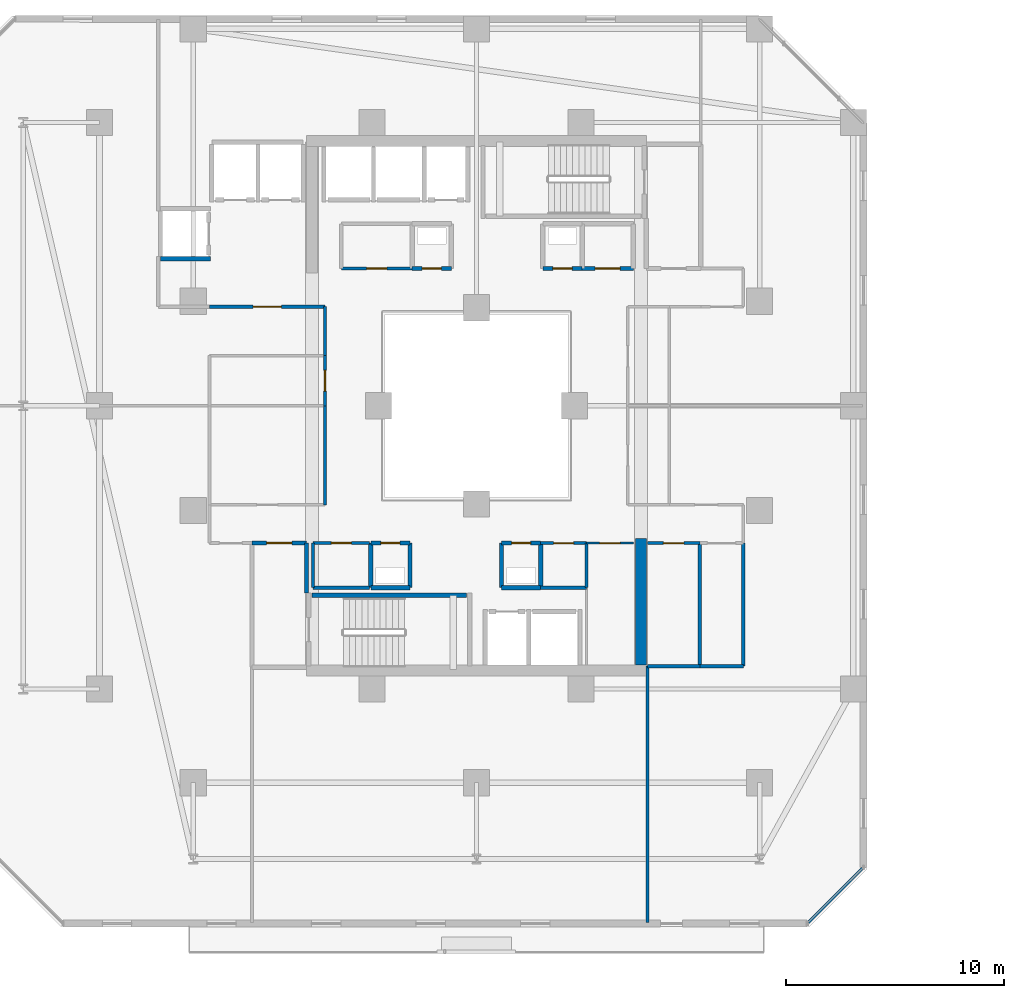
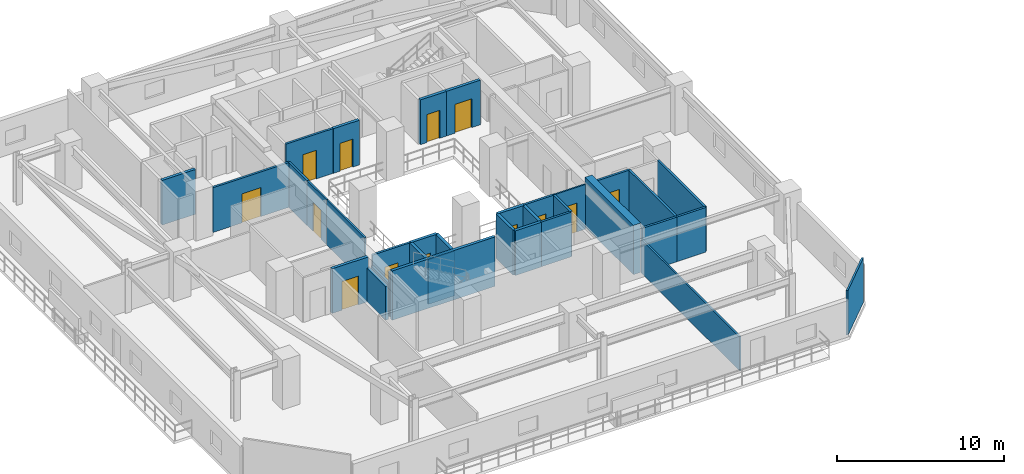
# One storey, part 19 of 34: 35 walls, 13 doors, 13 openings.
"""IFC4 building model written with IfcOpenShell, lengths in metres."""

from ifc_helpers import new_model, si_unit, direction, frame, frame_2d, origin, place, context, subcontext, project, spatial, rectangle, extrude, material, layer, layer_set, type_object, element, fill, save


model = new_model("IFC4")

# Units and contexts
model_context = context("Model", 3, precision=1e-05, world=origin(), true_north=direction((0.0, 1.0)))
body_context = subcontext(model_context, "Body", "Model", "MODEL_VIEW")
ifc_project = project(units=[si_unit("LENGTHUNIT", "METRE"), si_unit("AREAUNIT", "SQUARE_METRE"), si_unit("VOLUMEUNIT", "CUBIC_METRE"), si_unit("PLANEANGLEUNIT", "RADIAN"), si_unit("MASSUNIT", "GRAM", prefix="KILO")], contexts=[model_context])

# Site, building, storey
site_placement = place(None, origin())
site = spatial("IfcSite", under=ifc_project, at=site_placement, CompositionType="ELEMENT")
building_placement = place(site_placement, origin())
building = spatial("IfcBuilding", under=site, at=building_placement, Name="Thornwick Lancets Civic Towers", CompositionType="ELEMENT")
storey_placement = place(building_placement, frame((0.0, 0.0, 137.699951171875)))
storey = spatial("IfcBuildingStorey", under=building, at=storey_placement, Name="L36", CompositionType="ELEMENT", Elevation=137.699951171875)

# Walls
ifc_material_1 = material(Name="Concrete blockwork C40/50", Category="masonry")
ifc_layer_1 = layer(ifc_material_1, 0.199951171875, Name="Concrete blockwork C40/50")
ifc_layer_set_1 = layer_set([ifc_layer_1], Name="Concrete blockwork C40/50")
wall_type_1 = type_object("IfcWallType", Name="WALL_COMP_200", PredefinedType="STANDARD", material=ifc_layer_set_1)
wall_1_placement = place(storey_placement, frame((11.001953125, 33.75, 0.0), z_axis=(0.0, 0.0, 1.0), x_axis=(1.0, 0.0, 0.0)))
element("IfcWall", 1, at=wall_1_placement, inside=storey, type_object=wall_type_1, Name="L36 Hoistway Shaft Wall PL-AM3 S", PredefinedType="STANDARD", context=body_context, shape_type="SweptSolid", body=[
    extrude(rectangle(XDim=2.296142578125, YDim=0.199951171875, at=frame_2d((1.14794921875, 0.0))), origin(), (0.0, 0.0, 1.0), 3.260009765625),
])
wall_2_placement = place(storey_placement, frame((17.699951171875, 18.39990234375, 0.0), z_axis=(0.0, 0.0, 1.0), x_axis=(0.0, 1.0, 0.0)))
element("IfcWall", 2, at=wall_2_placement, inside=storey, type_object=wall_type_1, Name="L36 Partition L36-A-FFLOB1 E2", PredefinedType="STANDARD", context=body_context, shape_type="SweptSolid", body=[
    extrude(rectangle(XDim=2.300048828125, YDim=0.199951171875, at=frame_2d((1.14990234375, 0.0))), origin(), (0.0, 0.0, 1.0), 2.465087890625),
])

# Wall, opening, door
wall_3_placement = place(storey_placement, frame((17.699951171875, 20.699951171875, 0.0), z_axis=(0.0, 0.0, 1.0), x_axis=(-1.0, 0.0, 0.0)))
wall_3 = element("IfcWall", 3, at=wall_3_placement, inside=storey, type_object=wall_type_1, Name="L36 Partition L36-A-FFLOB1 E3", PredefinedType="STANDARD", context=body_context, shape_type="SweptSolid", body=[
    extrude(rectangle(XDim=2.5, YDim=0.199951171875, at=frame_2d((1.25, 0.0))), origin(), (0.0, 0.0, 1.0), 3.260009765625),
])
opening_1_placement = place(wall_3_placement, frame((0.675048828125, 0.0, 0.0)))
opening_1 = element("IfcOpeningElement", 4, at=opening_1_placement, cuts=wall_3, Name="Opening D-L36-1621", PredefinedType="OPENING", context=body_context, shape_type="SweptSolid", body=[
    extrude(rectangle(XDim=1.14990234375, YDim=2.10009765625, at=frame_2d((0.574951171875, 1.050048828125))), frame((0.0, 0.10986328125, 0.0), z_axis=(0.0, -1.0, 0.0), x_axis=(1.0, 0.0, 0.0)), (0.0, 0.0, 1.0), 0.219970703125),
])
ifc_material_2 = material(Name="Glazed fire-resisting steel", Category="steel")
door_type_1 = type_object("IfcDoorType", Name="DOOR_LOBBY_FD60", OperationType="NOTDEFINED", PredefinedType="DOOR", material=ifc_material_2)
door_1_placement = place(opening_1_placement, origin())
door_1 = element("IfcDoor", 5, at=door_1_placement, inside=storey, type_object=door_type_1, Name="L36 South Firefighting Lobby 1 Door", OperationType="SINGLE_SWING_RIGHT", OverallHeight=2.10009765625, OverallWidth=1.14990234375, PredefinedType="DOOR", context=body_context, shape_type="SweptSolid", body=[
    extrude(rectangle(XDim=1.14990234375, YDim=2.10009765625, at=frame_2d((0.574951171875, 1.050048828125))), frame((0.0, 0.02490234375, 0.0), z_axis=(0.0, -1.0, 0.0), x_axis=(1.0, 0.0, 0.0)), (0.0, 0.0, 1.0), 0.050048828125),
])
fill(opening_1, door_1)

# Walls
wall_4_placement = place(storey_placement, frame((26.64990234375, 18.64990234375, 0.0), z_axis=(0.0, 0.0, 1.0), x_axis=(1.0, 0.0, 0.0)))
element("IfcWall", 6, at=wall_4_placement, inside=storey, type_object=wall_type_1, Name="L36 Partition L36-A-DUCT1 E1", PredefinedType="STANDARD", context=body_context, shape_type="SweptSolid", body=[
    extrude(rectangle(XDim=1.800048828125, YDim=0.199951171875, at=frame_2d((0.89990234375, 0.0))), origin(), (0.0, 0.0, 1.0), 3.260009765625),
])
wall_5_placement = place(storey_placement, frame((28.449951171875, 18.64990234375, 0.0), z_axis=(0.0, 0.0, 1.0), x_axis=(0.0, 1.0, 0.0)))
element("IfcWall", 7, at=wall_5_placement, inside=storey, type_object=wall_type_1, Name="L36 Partition L36-A-DUCT1 E2", PredefinedType="STANDARD", context=body_context, shape_type="SweptSolid", body=[
    extrude(rectangle(XDim=2.050048828125, YDim=0.199951171875, at=frame_2d((1.02490234375, 0.0))), origin(), (0.0, 0.0, 1.0), 3.260009765625),
])

# Wall, opening, door
wall_6_placement = place(storey_placement, frame((28.449951171875, 20.699951171875, 0.0), z_axis=(0.0, 0.0, 1.0), x_axis=(-1.0, 0.0, 0.0)))
wall_6 = element("IfcWall", 8, at=wall_6_placement, inside=storey, type_object=wall_type_1, Name="L36 Partition L36-A-DUCT1 E3", PredefinedType="STANDARD", context=body_context, shape_type="SweptSolid", body=[
    extrude(rectangle(XDim=1.800048828125, YDim=0.199951171875, at=frame_2d((0.89990234375, 0.0))), origin(), (0.0, 0.0, 1.0), 3.260009765625),
])
opening_2_placement = place(wall_6_placement, frame((0.4599609375, 0.0, 0.0)))
opening_2 = element("IfcOpeningElement", 9, at=opening_2_placement, cuts=wall_6, Name="Opening D-L36-1623", PredefinedType="OPENING", context=body_context, shape_type="SweptSolid", body=[
    extrude(rectangle(XDim=0.8798828125, YDim=2.0400390625, at=frame_2d((0.43994140625, 1.02001953125))), frame((0.0, 0.10986328125, 0.0), z_axis=(0.0, -1.0, 0.0), x_axis=(1.0, 0.0, 0.0)), (0.0, 0.0, 1.0), 0.219970703125),
])
ifc_material_3 = material(Name="Steel riser access doorset", Category="steel")
door_type_2 = type_object("IfcDoorType", Name="DOOR_RISER_850", OperationType="NOTDEFINED", PredefinedType="DOOR", material=ifc_material_3)
door_2_placement = place(opening_2_placement, origin())
door_2 = element("IfcDoor", 10, at=door_2_placement, inside=storey, type_object=door_type_2, Name="L36 South Service Duct 1 Door", OperationType="SINGLE_SWING_RIGHT", OverallHeight=2.0400390625, OverallWidth=0.8798828125, PredefinedType="DOOR", context=body_context, shape_type="SweptSolid", body=[
    extrude(rectangle(XDim=0.8798828125, YDim=2.0400390625, at=frame_2d((0.43994140625, 1.02001953125))), frame((0.0, 0.02490234375, 0.0), z_axis=(0.0, -1.0, 0.0), x_axis=(1.0, 0.0, 0.0)), (0.0, 0.0, 1.0), 0.050048828125),
])
fill(opening_2, door_2)

# Walls
wall_7_placement = place(storey_placement, frame((26.64990234375, 20.699951171875, 0.0), z_axis=(0.0, 0.0, 1.0), x_axis=(0.0, -1.0, 0.0)))
element("IfcWall", 11, at=wall_7_placement, inside=storey, type_object=wall_type_1, Name="L36 Partition L36-A-DUCT1 E4", PredefinedType="STANDARD", context=body_context, shape_type="SweptSolid", body=[
    extrude(rectangle(XDim=2.050048828125, YDim=0.199951171875, at=frame_2d((1.02490234375, 0.0))), origin(), (0.0, 0.0, 1.0), 3.260009765625),
])
wall_8_placement = place(storey_placement, frame((20.64990234375, 18.64990234375, 0.0), z_axis=(0.0, 0.0, 1.0), x_axis=(1.0, 0.0, 0.0)))
element("IfcWall", 12, at=wall_8_placement, inside=storey, type_object=wall_type_1, Name="L36 Partition L36-A-RISER1 E1", PredefinedType="STANDARD", context=body_context, shape_type="SweptSolid", body=[
    extrude(rectangle(XDim=1.800048828125, YDim=0.199951171875, at=frame_2d((0.89990234375, 0.0))), origin(), (0.0, 0.0, 1.0), 3.260009765625),
])
wall_9_placement = place(storey_placement, frame((22.449951171875, 18.64990234375, 0.0), z_axis=(0.0, 0.0, 1.0), x_axis=(0.0, 1.0, 0.0)))
element("IfcWall", 13, at=wall_9_placement, inside=storey, type_object=wall_type_1, Name="L36 Partition L36-A-RISER1 E2", PredefinedType="STANDARD", context=body_context, shape_type="SweptSolid", body=[
    extrude(rectangle(XDim=2.050048828125, YDim=0.199951171875, at=frame_2d((1.02490234375, 0.0))), origin(), (0.0, 0.0, 1.0), 3.260009765625),
])

# Wall, opening, door
wall_10_placement = place(storey_placement, frame((22.449951171875, 20.699951171875, 0.0), z_axis=(0.0, 0.0, 1.0), x_axis=(-1.0, 0.0, 0.0)))
wall_10 = element("IfcWall", 14, at=wall_10_placement, inside=storey, type_object=wall_type_1, Name="L36 Partition L36-A-RISER1 E3", PredefinedType="STANDARD", context=body_context, shape_type="SweptSolid", body=[
    extrude(rectangle(XDim=1.800048828125, YDim=0.199951171875, at=frame_2d((0.89990234375, 0.0))), origin(), (0.0, 0.0, 1.0), 3.260009765625),
])
opening_3_placement = place(wall_10_placement, frame((0.4599609375, 0.0, 0.0)))
opening_3 = element("IfcOpeningElement", 15, at=opening_3_placement, cuts=wall_10, Name="Opening D-L36-1624", PredefinedType="OPENING", context=body_context, shape_type="SweptSolid", body=[
    extrude(rectangle(XDim=0.8798828125, YDim=2.0400390625, at=frame_2d((0.43994140625, 1.02001953125))), frame((0.0, 0.10986328125, 0.0), z_axis=(0.0, -1.0, 0.0), x_axis=(1.0, 0.0, 0.0)), (0.0, 0.0, 1.0), 0.219970703125),
])
door_3_placement = place(opening_3_placement, origin())
door_3 = element("IfcDoor", 16, at=door_3_placement, inside=storey, type_object=door_type_2, Name="L36 South Electrical Riser 1 Door", OperationType="SINGLE_SWING_LEFT", OverallHeight=2.0400390625, OverallWidth=0.8798828125, PredefinedType="DOOR", context=body_context, shape_type="SweptSolid", body=[
    extrude(rectangle(XDim=0.8798828125, YDim=2.0400390625, at=frame_2d((0.43994140625, 1.02001953125))), frame((0.0, 0.02490234375, 0.0), z_axis=(0.0, -1.0, 0.0), x_axis=(1.0, 0.0, 0.0)), (0.0, 0.0, 1.0), 0.050048828125),
])
fill(opening_3, door_3)

# Wall
wall_11_placement = place(storey_placement, frame((20.64990234375, 20.699951171875, 0.0), z_axis=(0.0, 0.0, 1.0), x_axis=(0.0, -1.0, 0.0)))
element("IfcWall", 17, at=wall_11_placement, inside=storey, type_object=wall_type_1, Name="L36 Partition L36-A-RISER1 E4", PredefinedType="STANDARD", context=body_context, shape_type="SweptSolid", body=[
    extrude(rectangle(XDim=2.050048828125, YDim=0.199951171875, at=frame_2d((1.02490234375, 0.0))), origin(), (0.0, 0.0, 1.0), 3.260009765625),
])

# Wall, opening, door
wall_12_placement = place(storey_placement, frame((22.550048828125, 33.300048828125, 0.0), z_axis=(0.0, 0.0, 1.0), x_axis=(1.0, 0.0, 0.0)))
wall_12 = element("IfcWall", 18, at=wall_12_placement, inside=storey, type_object=wall_type_1, Name="L36 Partition L36-A-DUCT2 E1", PredefinedType="STANDARD", context=body_context, shape_type="SweptSolid", body=[
    extrude(rectangle(XDim=1.800048828125, YDim=0.199951171875, at=frame_2d((0.89990234375, 0.0))), origin(), (0.0, 0.0, 1.0), 3.260009765625),
])
opening_4_placement = place(wall_12_placement, frame((0.4599609375, 0.0, 0.0)))
opening_4 = element("IfcOpeningElement", 19, at=opening_4_placement, cuts=wall_12, Name="Opening D-L36-1625", PredefinedType="OPENING", context=body_context, shape_type="SweptSolid", body=[
    extrude(rectangle(XDim=0.8798828125, YDim=2.0400390625, at=frame_2d((0.43994140625, 1.02001953125))), frame((0.0, 0.10986328125, 0.0), z_axis=(0.0, -1.0, 0.0), x_axis=(1.0, 0.0, 0.0)), (0.0, 0.0, 1.0), 0.219970703125),
])
door_4_placement = place(opening_4_placement, origin())
door_4 = element("IfcDoor", 20, at=door_4_placement, inside=storey, type_object=door_type_2, Name="L36 North Service Duct 2 Door", OperationType="SINGLE_SWING_RIGHT", OverallHeight=2.0400390625, OverallWidth=0.8798828125, PredefinedType="DOOR", context=body_context, shape_type="SweptSolid", body=[
    extrude(rectangle(XDim=0.8798828125, YDim=2.0400390625, at=frame_2d((0.43994140625, 1.02001953125))), frame((0.0, 0.02490234375, 0.0), z_axis=(0.0, -1.0, 0.0), x_axis=(1.0, 0.0, 0.0)), (0.0, 0.0, 1.0), 0.050048828125),
])
fill(opening_4, door_4)

wall_13_placement = place(storey_placement, frame((28.550048828125, 33.300048828125, 0.0), z_axis=(0.0, 0.0, 1.0), x_axis=(1.0, 0.0, 0.0)))
wall_13 = element("IfcWall", 21, at=wall_13_placement, inside=storey, type_object=wall_type_1, Name="L36 Partition L36-A-RISER2 E1", PredefinedType="STANDARD", context=body_context, shape_type="SweptSolid", body=[
    extrude(rectangle(XDim=1.800048828125, YDim=0.199951171875, at=frame_2d((0.89990234375, 0.0))), origin(), (0.0, 0.0, 1.0), 3.260009765625),
])
opening_5_placement = place(wall_13_placement, frame((0.4599609375, 0.0, 0.0)))
opening_5 = element("IfcOpeningElement", 22, at=opening_5_placement, cuts=wall_13, Name="Opening D-L36-1626", PredefinedType="OPENING", context=body_context, shape_type="SweptSolid", body=[
    extrude(rectangle(XDim=0.8798828125, YDim=2.0400390625, at=frame_2d((0.43994140625, 1.02001953125))), frame((0.0, 0.10986328125, 0.0), z_axis=(0.0, -1.0, 0.0), x_axis=(1.0, 0.0, 0.0)), (0.0, 0.0, 1.0), 0.219970703125),
])
door_5_placement = place(opening_5_placement, origin())
door_5 = element("IfcDoor", 23, at=door_5_placement, inside=storey, type_object=door_type_2, Name="L36 North Service Riser 2 Door", OperationType="SINGLE_SWING_LEFT", OverallHeight=2.0400390625, OverallWidth=0.8798828125, PredefinedType="DOOR", context=body_context, shape_type="SweptSolid", body=[
    extrude(rectangle(XDim=0.8798828125, YDim=2.0400390625, at=frame_2d((0.43994140625, 1.02001953125))), frame((0.0, 0.02490234375, 0.0), z_axis=(0.0, -1.0, 0.0), x_axis=(1.0, 0.0, 0.0)), (0.0, 0.0, 1.0), 0.050048828125),
])
fill(opening_5, door_5)

wall_14_placement = place(storey_placement, frame((32.699951171875, 33.300048828125, 0.0), z_axis=(0.0, 0.0, 1.0), x_axis=(-1.0, 0.0, 0.0)))
wall_14 = element("IfcWall", 24, at=wall_14_placement, inside=storey, type_object=wall_type_1, Name="L36 Partition L36-A-STR E2", PredefinedType="STANDARD", context=body_context, shape_type="SweptSolid", body=[
    extrude(rectangle(XDim=2.349853515625, YDim=0.199951171875, at=frame_2d((1.1748046875, 0.0))), origin(), (0.0, 0.0, 1.0), 3.260009765625),
])
opening_6_placement = place(wall_14_placement, frame((0.60009765625, 0.0, 0.0)))
opening_6 = element("IfcOpeningElement", 25, at=opening_6_placement, cuts=wall_14, Name="Opening D-L36-1631", PredefinedType="OPENING", context=body_context, shape_type="SweptSolid", body=[
    extrude(rectangle(XDim=1.14990234375, YDim=2.10009765625, at=frame_2d((0.574951171875, 1.050048828125))), frame((0.0, 0.10986328125, 0.0), z_axis=(0.0, -1.0, 0.0), x_axis=(1.0, 0.0, 0.0)), (0.0, 0.0, 1.0), 0.219970703125),
])
door_6_placement = place(opening_6_placement, origin())
door_6 = element("IfcDoor", 26, at=door_6_placement, inside=storey, type_object=door_type_1, Name="L36 Tower A Core Equipment Store Door", OperationType="SINGLE_SWING_RIGHT", OverallHeight=2.10009765625, OverallWidth=1.14990234375, PredefinedType="DOOR", context=body_context, shape_type="SweptSolid", body=[
    extrude(rectangle(XDim=1.14990234375, YDim=2.10009765625, at=frame_2d((0.574951171875, 1.050048828125))), frame((0.0, 0.02490234375, 0.0), z_axis=(0.0, -1.0, 0.0), x_axis=(1.0, 0.0, 0.0)), (0.0, 0.0, 1.0), 0.050048828125),
])
fill(opening_6, door_6)

# Wall
ifc_material_4 = material(Name="Concrete C50/60", Category="concrete")
ifc_layer_2 = layer(ifc_material_4, 0.5, Name="Concrete C50/60")
ifc_layer_set_2 = layer_set([ifc_layer_2], Name="Concrete C50/60")
wall_type_2 = type_object("IfcWallType", Name="WALL_CORE_500", PredefinedType="SHEAR", material=ifc_layer_set_2)
wall_15_placement = place(storey_placement, frame((33.050048828125, 15.10009765625, 0.0), z_axis=(0.0, 0.0, 1.0), x_axis=(0.0, 1.0, 0.0)))
element("IfcWall", 27, at=wall_15_placement, inside=storey, type_object=wall_type_2, Name="L36 Split Core A1 Shear Wall E", PredefinedType="SHEAR", context=body_context, shape_type="SweptSolid", body=[
    extrude(rectangle(XDim=5.7998046875, YDim=0.5, at=frame_2d((2.89990234375, 0.0))), origin(), (0.0, 0.0, 1.0), 3.60009765625),
])

# Wall, opening, door
ifc_material_5 = material(Name="Lightweight cellular office partition")
ifc_layer_3 = layer(ifc_material_5, 0.10009765625, Name="Lightweight cellular office partition")
ifc_layer_set_3 = layer_set([ifc_layer_3], Name="Lightweight cellular office partition")
wall_type_3 = type_object("IfcWallType", Name="WALL_PART_100", PredefinedType="PARTITIONING", material=ifc_layer_set_3)
wall_16_placement = place(storey_placement, frame((30.550048828125, 20.699951171875, 0.0), z_axis=(0.0, 0.0, 1.0), x_axis=(1.0, 0.0, 0.0)))
wall_16 = element("IfcWall", 28, at=wall_16_placement, inside=storey, type_object=wall_type_3, Name="L36 Partition L36-A-CLN E5", PredefinedType="PARTITIONING", context=body_context, shape_type="SweptSolid", body=[
    extrude(rectangle(XDim=2.14990234375, YDim=0.10009765625, at=frame_2d((1.074951171875, 0.0))), origin(), (0.0, 0.0, 1.0), 3.260009765625),
])
opening_7_placement = place(wall_16_placement, frame((0.60009765625, 0.0, 0.0)))
opening_7 = element("IfcOpeningElement", 29, at=opening_7_placement, cuts=wall_16, Name="Opening D-L36-1629", PredefinedType="OPENING", context=body_context, shape_type="SweptSolid", body=[
    extrude(rectangle(XDim=0.949951171875, YDim=2.10009765625, at=frame_2d((0.47509765625, 1.050048828125))), frame((0.0, 0.06005859375, 0.0), z_axis=(0.0, -1.0, 0.0), x_axis=(1.0, 0.0, 0.0)), (0.0, 0.0, 1.0), 0.1201171875),
])
ifc_material_6 = material(Name="European oak acoustic doorset")
door_type_3 = type_object("IfcDoorType", Name="DOOR_OFFICE_950", OperationType="NOTDEFINED", PredefinedType="DOOR", material=ifc_material_6)
door_7_placement = place(opening_7_placement, origin())
door_7 = element("IfcDoor", 30, at=door_7_placement, inside=storey, type_object=door_type_3, Name="L36 Tower A Cleaners Store Door", OperationType="SINGLE_SWING_RIGHT", OverallHeight=2.10009765625, OverallWidth=0.949951171875, PredefinedType="DOOR", context=body_context, shape_type="SweptSolid", body=[
    extrude(rectangle(XDim=0.949951171875, YDim=2.10009765625, at=frame_2d((0.47509765625, 1.050048828125))), frame((0.0, 0.02490234375, 0.0), z_axis=(0.0, -1.0, 0.0), x_axis=(1.0, 0.0, 0.0)), (0.0, 0.0, 1.0), 0.050048828125),
])
fill(opening_7, door_7)

# Wall
ifc_material_7 = material(Name="Acoustic gypsum board partition")
ifc_layer_4 = layer(ifc_material_7, 0.1201171875, Name="Acoustic gypsum board partition")
ifc_layer_set_4 = layer_set([ifc_layer_4], Name="Acoustic gypsum board partition")
wall_type_4 = type_object("IfcWallType", Name="WALL_PART_120", PredefinedType="PARTITIONING", material=ifc_layer_set_4)
wall_17_placement = place(storey_placement, frame((18.550048828125, 27.0, 0.0), z_axis=(0.0, 0.0, 1.0), x_axis=(0.0, -1.0, 0.0)))
element("IfcWall", 31, at=wall_17_placement, inside=storey, type_object=wall_type_4, Name="L36 Partition L36-A-W2 E3", PredefinedType="PARTITIONING", context=body_context, shape_type="SweptSolid", body=[
    extrude(rectangle(XDim=4.550048828125, YDim=0.1201171875, at=frame_2d((2.27490234375, 0.0))), origin(), (0.0, 0.0, 1.0), 3.260009765625),
])

# Wall, opening, door
wall_18_placement = place(storey_placement, frame((18.550048828125, 29.300048828125, 0.0), z_axis=(0.0, 0.0, 1.0), x_axis=(0.0, -1.0, 0.0)))
wall_18 = element("IfcWall", 32, at=wall_18_placement, inside=storey, type_object=wall_type_4, Name="L36 Partition L36-A-W3 E3", PredefinedType="PARTITIONING", context=body_context, shape_type="SweptSolid", body=[
    extrude(rectangle(XDim=2.300048828125, YDim=0.1201171875, at=frame_2d((1.14990234375, 0.0))), origin(), (0.0, 0.0, 1.0), 3.260009765625),
])
opening_8_placement = place(wall_18_placement, frame((0.675048828125, 0.0, 0.0)))
opening_8 = element("IfcOpeningElement", 33, at=opening_8_placement, cuts=wall_18, Name="Opening D-L36-1647", PredefinedType="OPENING", context=body_context, shape_type="SweptSolid", body=[
    extrude(rectangle(XDim=0.949951171875, YDim=2.10009765625, at=frame_2d((0.47509765625, 1.050048828125))), frame((0.0, 0.070068359375, 0.0), z_axis=(0.0, -1.0, 0.0), x_axis=(1.0, 0.0, 0.0)), (0.0, 0.0, 1.0), 0.14013671875),
])
door_8_placement = place(opening_8_placement, origin())
door_8 = element("IfcDoor", 34, at=door_8_placement, inside=storey, type_object=door_type_3, Name="L36 Tower A Staff Tea Pantry and Lounge Door", OperationType="SINGLE_SWING_RIGHT", OverallHeight=2.10009765625, OverallWidth=0.949951171875, PredefinedType="DOOR", context=body_context, shape_type="SweptSolid", body=[
    extrude(rectangle(XDim=0.949951171875, YDim=2.10009765625, at=frame_2d((0.47509765625, 1.050048828125))), frame((0.0, 0.02490234375, 0.0), z_axis=(0.0, -1.0, 0.0), x_axis=(1.0, 0.0, 0.0)), (0.0, 0.0, 1.0), 0.050048828125),
])
fill(opening_8, door_8)

# Walls
wall_19_placement = place(storey_placement, frame((33.35009765625, 3.280029296875, 0.0), z_axis=(0.0, 0.0, 1.0), x_axis=(0.0, 1.0, 0.0)))
element("IfcWall", 35, at=wall_19_placement, inside=storey, type_object=wall_type_4, Name="L36 Partition L36-A-E2 E2", PredefinedType="PARTITIONING", context=body_context, shape_type="SweptSolid", body=[
    extrude(rectangle(XDim=11.77001953125, YDim=0.1201171875, at=frame_2d((5.885009765625, 0.0))), origin(), (0.0, 0.0, 1.0), 2.465087890625),
])
wall_20_placement = place(storey_placement, frame((43.219970703125, 5.774658203125, 0.0), z_axis=(0.0, 0.0, 1.0), x_axis=(-0.707106781187, -0.707106781187, 0.0)))
element("IfcWall", 36, at=wall_20_placement, inside=storey, type_object=wall_type_4, Name="L36 Partition L36-A-E2 E11", PredefinedType="PARTITIONING", context=body_context, shape_type="SweptSolid", body=[
    extrude(rectangle(XDim=3.52783203125, YDim=0.1201171875, at=frame_2d((1.763916015625, 0.0))), origin(), (0.0, 0.0, 1.0), 3.260009765625),
])
ifc_material_8 = material(Name="Twin-stud acoustic gypsum board")
ifc_layer_5 = layer(ifc_material_8, 0.14990234375, Name="Twin-stud acoustic gypsum board")
ifc_layer_set_5 = layer_set([ifc_layer_5], Name="Twin-stud acoustic gypsum board")
wall_type_5 = type_object("IfcWallType", Name="WALL_PART_150", PredefinedType="PARTITIONING", material=ifc_layer_set_5)
wall_21_placement = place(storey_placement, frame((18.0, 18.64990234375, 0.0), z_axis=(0.0, 0.0, 1.0), x_axis=(1.0, 0.0, 0.0)))
element("IfcWall", 37, at=wall_21_placement, inside=storey, type_object=wall_type_5, Name="L36 Partition L36-A-AWC E1", PredefinedType="PARTITIONING", context=body_context, shape_type="SweptSolid", body=[
    extrude(rectangle(XDim=2.60009765625, YDim=0.14990234375, at=frame_2d((1.300048828125, 0.0))), origin(), (0.0, 0.0, 1.0), 3.260009765625),
])

# Wall, opening, door
wall_22_placement = place(storey_placement, frame((20.60009765625, 20.699951171875, 0.0), z_axis=(0.0, 0.0, 1.0), x_axis=(-1.0, 0.0, 0.0)))
wall_22 = element("IfcWall", 38, at=wall_22_placement, inside=storey, type_object=wall_type_5, Name="L36 Partition L36-A-AWC E3", PredefinedType="PARTITIONING", context=body_context, shape_type="SweptSolid", body=[
    extrude(rectangle(XDim=2.60009765625, YDim=0.14990234375, at=frame_2d((1.300048828125, 0.0))), origin(), (0.0, 0.0, 1.0), 3.260009765625),
])
opening_9_placement = place(wall_22_placement, frame((0.840087890625, 0.0, 0.0)))
opening_9 = element("IfcOpeningElement", 39, at=opening_9_placement, cuts=wall_22, Name="Opening D-L36-1627", PredefinedType="OPENING", context=body_context, shape_type="SweptSolid", body=[
    extrude(rectangle(XDim=0.919921875, YDim=2.080078125, at=frame_2d((0.4599609375, 1.0400390625))), frame((0.0, 0.0849609375, 0.0), z_axis=(0.0, -1.0, 0.0), x_axis=(1.0, 0.0, 0.0)), (0.0, 0.0, 1.0), 0.169921875),
])
ifc_material_9 = material(Name="Moisture-resistant oak doorset")
door_type_4 = type_object("IfcDoorType", Name="DOOR_WC_900", OperationType="NOTDEFINED", PredefinedType="DOOR", material=ifc_material_9)
door_9_placement = place(opening_9_placement, origin())
door_9 = element("IfcDoor", 40, at=door_9_placement, inside=storey, type_object=door_type_4, Name="L36 Tower A Accessible WC Door", OperationType="SINGLE_SWING_RIGHT", OverallHeight=2.080078125, OverallWidth=0.919921875, PredefinedType="DOOR", context=body_context, shape_type="SweptSolid", body=[
    extrude(rectangle(XDim=0.919921875, YDim=2.080078125, at=frame_2d((0.4599609375, 1.0400390625))), frame((0.0, 0.02490234375, 0.0), z_axis=(0.0, -1.0, 0.0), x_axis=(1.0, 0.0, 0.0)), (0.0, 0.0, 1.0), 0.050048828125),
])
fill(opening_9, door_9)

# Walls
wall_23_placement = place(storey_placement, frame((18.0, 20.699951171875, 0.0), z_axis=(0.0, 0.0, 1.0), x_axis=(0.0, -1.0, 0.0)))
element("IfcWall", 41, at=wall_23_placement, inside=storey, type_object=wall_type_5, Name="L36 Partition L36-A-AWC E4", PredefinedType="PARTITIONING", context=body_context, shape_type="SweptSolid", body=[
    extrude(rectangle(XDim=2.050048828125, YDim=0.14990234375, at=frame_2d((1.02490234375, 0.0))), origin(), (0.0, 0.0, 1.0), 2.465087890625),
])
wall_24_placement = place(storey_placement, frame((30.550048828125, 20.699951171875, 0.0), z_axis=(0.0, 0.0, 1.0), x_axis=(0.0, -1.0, 0.0)))
element("IfcWall", 42, at=wall_24_placement, inside=storey, type_object=wall_type_5, Name="L36 Partition L36-A-MWC E1", PredefinedType="PARTITIONING", context=body_context, shape_type="SweptSolid", body=[
    extrude(rectangle(XDim=2.050048828125, YDim=0.14990234375, at=frame_2d((1.02490234375, 0.0))), origin(), (0.0, 0.0, 1.0), 3.260009765625),
])
wall_25_placement = place(storey_placement, frame((30.550048828125, 18.64990234375, 0.0), z_axis=(0.0, 0.0, 1.0), x_axis=(-1.0, 0.0, 0.0)))
element("IfcWall", 43, at=wall_25_placement, inside=storey, type_object=wall_type_5, Name="L36 Partition L36-A-MWC E2", PredefinedType="PARTITIONING", context=body_context, shape_type="SweptSolid", body=[
    extrude(rectangle(XDim=2.10009765625, YDim=0.14990234375, at=frame_2d((1.050048828125, 0.0))), origin(), (0.0, 0.0, 1.0), 3.260009765625),
])

# Wall, opening, door
wall_26_placement = place(storey_placement, frame((28.449951171875, 20.699951171875, 0.0), z_axis=(0.0, 0.0, 1.0), x_axis=(1.0, 0.0, 0.0)))
wall_26 = element("IfcWall", 44, at=wall_26_placement, inside=storey, type_object=wall_type_5, Name="L36 Partition L36-A-MWC E4", PredefinedType="PARTITIONING", context=body_context, shape_type="SweptSolid", body=[
    extrude(rectangle(XDim=2.10009765625, YDim=0.14990234375, at=frame_2d((1.050048828125, 0.0))), origin(), (0.0, 0.0, 1.0), 3.260009765625),
])
opening_10_placement = place(wall_26_placement, frame((0.590087890625, 0.0, 0.0)))
opening_10 = element("IfcOpeningElement", 45, at=opening_10_placement, cuts=wall_26, Name="Opening D-L36-1628", PredefinedType="OPENING", context=body_context, shape_type="SweptSolid", body=[
    extrude(rectangle(XDim=0.919921875, YDim=2.080078125, at=frame_2d((0.4599609375, 1.0400390625))), frame((0.0, 0.0849609375, 0.0), z_axis=(0.0, -1.0, 0.0), x_axis=(1.0, 0.0, 0.0)), (0.0, 0.0, 1.0), 0.169921875),
])
door_10_placement = place(opening_10_placement, origin())
door_10 = element("IfcDoor", 46, at=door_10_placement, inside=storey, type_object=door_type_4, Name="L36 Tower A Male WC Door", OperationType="SINGLE_SWING_LEFT", OverallHeight=2.080078125, OverallWidth=0.919921875, PredefinedType="DOOR", context=body_context, shape_type="SweptSolid", body=[
    extrude(rectangle(XDim=0.919921875, YDim=2.080078125, at=frame_2d((0.4599609375, 1.0400390625))), frame((0.0, 0.02490234375, 0.0), z_axis=(0.0, -1.0, 0.0), x_axis=(1.0, 0.0, 0.0)), (0.0, 0.0, 1.0), 0.050048828125),
])
fill(opening_10, door_10)

wall_27_placement = place(storey_placement, frame((22.550048828125, 33.300048828125, 0.0), z_axis=(0.0, 0.0, 1.0), x_axis=(-1.0, 0.0, 0.0)))
wall_27 = element("IfcWall", 47, at=wall_27_placement, inside=storey, type_object=wall_type_5, Name="L36 Partition L36-A-FWC E4", PredefinedType="PARTITIONING", context=body_context, shape_type="SweptSolid", body=[
    extrude(rectangle(XDim=3.25, YDim=0.14990234375, at=frame_2d((1.625, 0.0))), origin(), (0.0, 0.0, 1.0), 3.260009765625),
])
opening_11_placement = place(wall_27_placement, frame((1.1650390625, 0.0, 0.0)))
opening_11 = element("IfcOpeningElement", 48, at=opening_11_placement, cuts=wall_27, Name="Opening D-L36-1630", PredefinedType="OPENING", context=body_context, shape_type="SweptSolid", body=[
    extrude(rectangle(XDim=0.919921875, YDim=2.080078125, at=frame_2d((0.4599609375, 1.0400390625))), frame((0.0, 0.0849609375, 0.0), z_axis=(0.0, -1.0, 0.0), x_axis=(1.0, 0.0, 0.0)), (0.0, 0.0, 1.0), 0.169921875),
])
door_11_placement = place(opening_11_placement, origin())
door_11 = element("IfcDoor", 49, at=door_11_placement, inside=storey, type_object=door_type_4, Name="L36 Tower A Female WC Door", OperationType="SINGLE_SWING_LEFT", OverallHeight=2.080078125, OverallWidth=0.919921875, PredefinedType="DOOR", context=body_context, shape_type="SweptSolid", body=[
    extrude(rectangle(XDim=0.919921875, YDim=2.080078125, at=frame_2d((0.4599609375, 1.0400390625))), frame((0.0, 0.02490234375, 0.0), z_axis=(0.0, -1.0, 0.0), x_axis=(1.0, 0.0, 0.0)), (0.0, 0.0, 1.0), 0.050048828125),
])
fill(opening_11, door_11)

# Wall
wall_28_placement = place(storey_placement, frame((35.75, 15.050048828125, 0.0), z_axis=(0.0, 0.0, 1.0), x_axis=(-1.0, 0.0, 0.0)))
element("IfcWall", 50, at=wall_28_placement, inside=storey, type_object=wall_type_5, Name="L36 Partition L36-A-RECLAIM-L1 E1", PredefinedType="PARTITIONING", context=body_context, shape_type="SweptSolid", body=[
    extrude(rectangle(XDim=2.39990234375, YDim=0.14990234375, at=frame_2d((1.199951171875, 0.0))), origin(), (0.0, 0.0, 1.0), 3.260009765625),
])

# Wall, opening, door
wall_29_placement = place(storey_placement, frame((33.35009765625, 20.699951171875, 0.0), z_axis=(0.0, 0.0, 1.0), x_axis=(1.0, 0.0, 0.0)))
wall_29 = element("IfcWall", 51, at=wall_29_placement, inside=storey, type_object=wall_type_5, Name="L36 Partition L36-A-RECLAIM-L1 E3", PredefinedType="PARTITIONING", context=body_context, shape_type="SweptSolid", body=[
    extrude(rectangle(XDim=2.39990234375, YDim=0.14990234375, at=frame_2d((1.199951171875, 0.0))), origin(), (0.0, 0.0, 1.0), 3.260009765625),
])
opening_12_placement = place(wall_29_placement, frame((0.72509765625, 0.0, 0.0)))
opening_12 = element("IfcOpeningElement", 52, at=opening_12_placement, cuts=wall_29, Name="Opening D-L36-1643", PredefinedType="OPENING", context=body_context, shape_type="SweptSolid", body=[
    extrude(rectangle(XDim=0.949951171875, YDim=2.10009765625, at=frame_2d((0.47509765625, 1.050048828125))), frame((0.0, 0.0849609375, 0.0), z_axis=(0.0, -1.0, 0.0), x_axis=(1.0, 0.0, 0.0)), (0.0, 0.0, 1.0), 0.169921875),
])
door_12_placement = place(opening_12_placement, origin())
door_12 = element("IfcDoor", 53, at=door_12_placement, inside=storey, type_object=door_type_3, Name="L36 Tower A Policy Archive Door", OperationType="SINGLE_SWING_RIGHT", OverallHeight=2.10009765625, OverallWidth=0.949951171875, PredefinedType="DOOR", context=body_context, shape_type="SweptSolid", body=[
    extrude(rectangle(XDim=0.949951171875, YDim=2.10009765625, at=frame_2d((0.47509765625, 1.050048828125))), frame((0.0, 0.02490234375, 0.0), z_axis=(0.0, -1.0, 0.0), x_axis=(1.0, 0.0, 0.0)), (0.0, 0.0, 1.0), 0.050048828125),
])
fill(opening_12, door_12)

# Walls
wall_30_placement = place(storey_placement, frame((35.75, 20.699951171875, 0.0), z_axis=(0.0, 0.0, 1.0), x_axis=(0.0, -1.0, 0.0)))
element("IfcWall", 54, at=wall_30_placement, inside=storey, type_object=wall_type_5, Name="L36 Partition L36-A-RECLAIM-L1 E4", PredefinedType="PARTITIONING", context=body_context, shape_type="SweptSolid", body=[
    extrude(rectangle(XDim=5.64990234375, YDim=0.14990234375, at=frame_2d((2.824951171875, 0.0))), origin(), (0.0, 0.0, 1.0), 3.260009765625),
])
wall_31_placement = place(storey_placement, frame((37.75, 15.050048828125, 0.0), z_axis=(0.0, 0.0, 1.0), x_axis=(-1.0, 0.0, 0.0)))
element("IfcWall", 55, at=wall_31_placement, inside=storey, type_object=wall_type_5, Name="L36 Partition L36-A-RECLAIM-L2 E1", PredefinedType="PARTITIONING", context=body_context, shape_type="SweptSolid", body=[
    extrude(rectangle(XDim=2.0, YDim=0.14990234375, at=frame_2d((1.0, 0.0))), origin(), (0.0, 0.0, 1.0), 3.260009765625),
])
wall_32_placement = place(storey_placement, frame((37.75, 20.699951171875, 0.0), z_axis=(0.0, 0.0, 1.0), x_axis=(0.0, -1.0, 0.0)))
element("IfcWall", 56, at=wall_32_placement, inside=storey, type_object=wall_type_5, Name="L36 Partition L36-A-RECLAIM-L2 E4", PredefinedType="PARTITIONING", context=body_context, shape_type="SweptSolid", body=[
    extrude(rectangle(XDim=5.64990234375, YDim=0.14990234375, at=frame_2d((2.824951171875, 0.0))), origin(), (0.0, 0.0, 1.0), 3.260009765625),
])

# Wall, opening, door
wall_33_placement = place(storey_placement, frame((13.25, 31.550048828125, 0.0), z_axis=(0.0, 0.0, 1.0), x_axis=(1.0, 0.0, 0.0)))
wall_33 = element("IfcWall", 57, at=wall_33_placement, inside=storey, type_object=wall_type_5, Name="L36 Partition L36-A-W4 E1", PredefinedType="PARTITIONING", context=body_context, shape_type="SweptSolid", body=[
    extrude(rectangle(XDim=5.300048828125, YDim=0.14990234375, at=frame_2d((2.64990234375, 0.0))), origin(), (0.0, 0.0, 1.0), 3.260009765625),
])
opening_13_placement = place(wall_33_placement, frame((2.0, 0.0, 0.0)))
opening_13 = element("IfcOpeningElement", 58, at=opening_13_placement, cuts=wall_33, Name="Opening D-L36-1648", PredefinedType="OPENING", context=body_context, shape_type="SweptSolid", body=[
    extrude(rectangle(XDim=1.300048828125, YDim=2.1201171875, at=frame_2d((0.64990234375, 1.06005859375))), frame((0.0, 0.0849609375, 0.0), z_axis=(0.0, -1.0, 0.0), x_axis=(1.0, 0.0, 0.0)), (0.0, 0.0, 1.0), 0.169921875),
])
ifc_material_10 = material(Name="Acoustic oak leaf-and-a-half doorset")
door_type_5 = type_object("IfcDoorType", Name="DOOR_MEET_1300", OperationType="DOUBLE_DOOR_SINGLE_SWING", PredefinedType="DOOR", material=ifc_material_10)
door_13_placement = place(opening_13_placement, origin())
door_13 = element("IfcDoor", 59, at=door_13_placement, inside=storey, type_object=door_type_5, Name="L36 Tower A Policy Briefing Room W4 Door", OperationType="DOUBLE_DOOR_SINGLE_SWING", OverallHeight=2.1201171875, OverallWidth=1.300048828125, PredefinedType="DOOR", context=body_context, shape_type="SweptSolid", body=[
    extrude(rectangle(XDim=1.300048828125, YDim=2.1201171875, at=frame_2d((0.64990234375, 1.06005859375))), frame((0.0, 0.02490234375, 0.0), z_axis=(0.0, -1.0, 0.0), x_axis=(1.0, 0.0, 0.0)), (0.0, 0.0, 1.0), 0.050048828125),
])
fill(opening_13, door_13)

# Walls
wall_34_placement = place(storey_placement, frame((18.550048828125, 31.550048828125, 0.0), z_axis=(0.0, 0.0, 1.0), x_axis=(0.0, -1.0, 0.0)))
element("IfcWall", 60, at=wall_34_placement, inside=storey, type_object=wall_type_5, Name="L36 Partition L36-A-W4 E2", PredefinedType="PARTITIONING", context=body_context, shape_type="SweptSolid", body=[
    extrude(rectangle(XDim=2.25, YDim=0.14990234375, at=frame_2d((1.125, 0.0))), origin(), (0.0, 0.0, 1.0), 3.260009765625),
])
ifc_material_11 = material(Name="Concrete C40/50", Category="concrete")
ifc_layer_6 = layer(ifc_material_11, 0.199951171875, Name="Concrete C40/50")
ifc_layer_set_6 = layer_set([ifc_layer_6], Name="Concrete C40/50")
wall_type_6 = type_object("IfcWallType", Name="WALL_SHAFT_200", PredefinedType="SHEAR", material=ifc_layer_set_6)
wall_35_placement = place(storey_placement, frame((25.050048828125, 18.297119140625, 0.0), z_axis=(0.0, 0.0, 1.0), x_axis=(-1.0, 0.0, 0.0)))
element("IfcWall", 61, at=wall_35_placement, inside=storey, type_object=wall_type_6, Name="L36 ST-A1 Fire Stair Core Wall RIGHT", PredefinedType="SHEAR", context=body_context, shape_type="SweptSolid", body=[
    extrude(rectangle(XDim=7.10009765625, YDim=0.199951171875, at=frame_2d((3.550048828125, 0.0))), origin(), (0.0, 0.0, 1.0), 3.60009765625),
])

save(model, "model.ifc")
